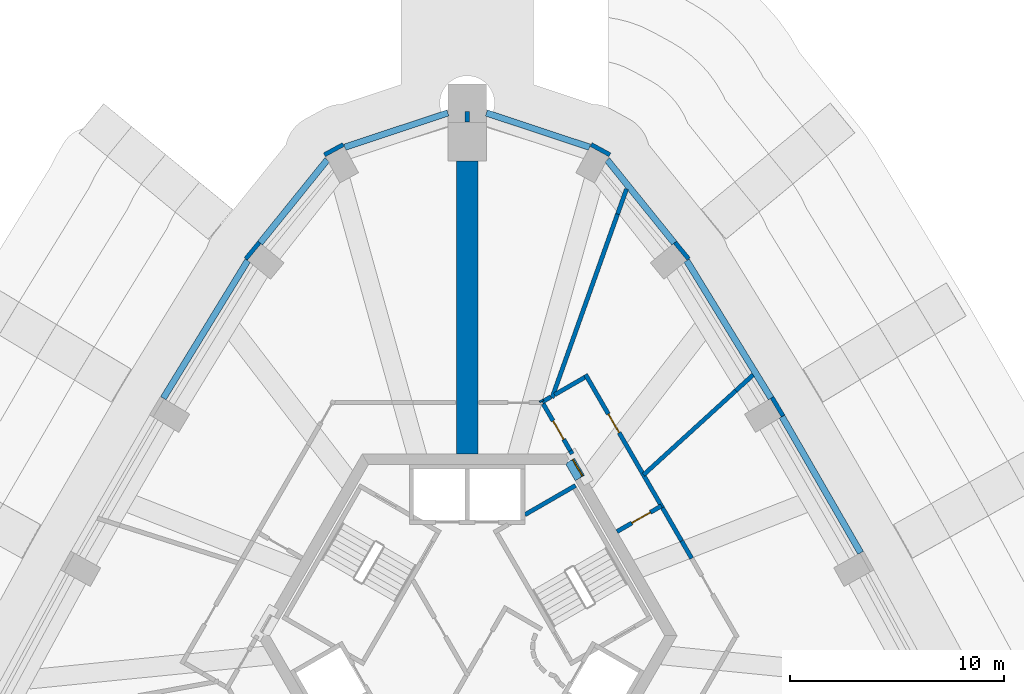
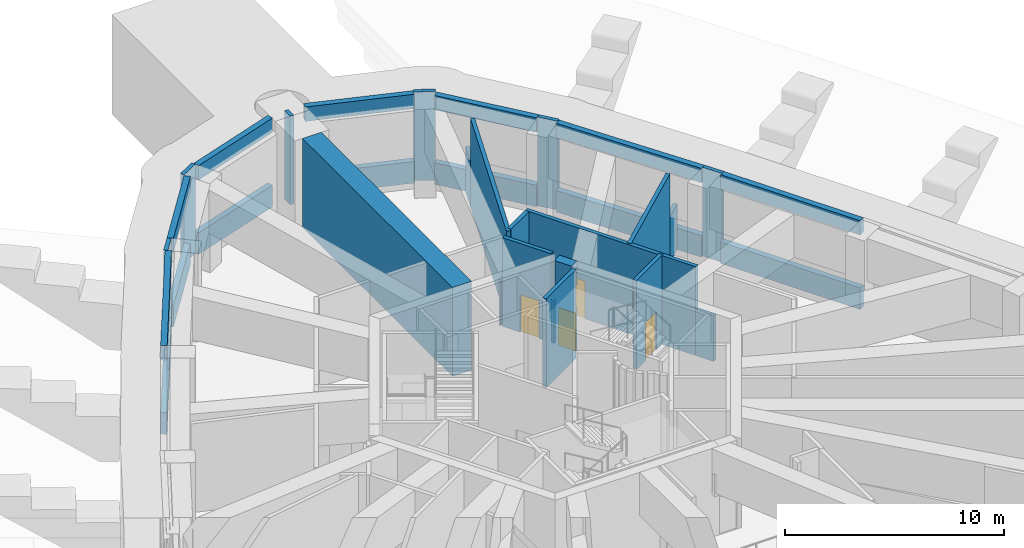
# One storey, part 7 of 15: 37 walls, 4 doors, 4 openings.
"""IFC4 building model written with IfcOpenShell, lengths in metres."""

from ifc_helpers import new_model, si_unit, direction, frame, frame_2d, origin, place, context, subcontext, project, spatial, polyline, rectangle, outline, extrude, material, layer, layer_set, type_object, element, fill, save


model = new_model("IFC4")

# Units and contexts
model_context = context("Model", 3, precision=1e-05, world=origin(), true_north=direction((0.0, 1.0)))
body_context = subcontext(model_context, "Body", "Model", "MODEL_VIEW")
ifc_project = project(units=[si_unit("LENGTHUNIT", "METRE"), si_unit("AREAUNIT", "SQUARE_METRE"), si_unit("VOLUMEUNIT", "CUBIC_METRE"), si_unit("PLANEANGLEUNIT", "RADIAN"), si_unit("MASSUNIT", "GRAM", prefix="KILO")], contexts=[model_context])

# Site, building, storey
site_placement = place(None, origin())
site = spatial("IfcSite", under=ifc_project, at=site_placement, CompositionType="ELEMENT")
building_placement = place(site_placement, origin())
building = spatial("IfcBuilding", under=site, at=building_placement, Name="Entoto Arch Interchange Tower", CompositionType="ELEMENT")
storey_placement = place(building_placement, frame((0.0, 0.0, 326.0)))
storey = spatial("IfcBuildingStorey", under=building, at=storey_placement, Name="L77", CompositionType="ELEMENT", Elevation=326.0)

# Wall, opening, door
ifc_material_1 = material(Name="Reinforced concrete C40/50", Category="concrete")
ifc_layer_1 = layer(ifc_material_1, 0.199951171875)
ifc_layer_set_1 = layer_set([ifc_layer_1], Name="Reinforced concrete C40/50")
wall_type_1 = type_object("IfcWallType", Name="CORE GAP INFILL WALL", PredefinedType="PARTITIONING", material=ifc_layer_set_1)
wall_1_placement = place(storey_placement, frame((5.39892578125, 9.947998046875, 0.0), z_axis=(0.0, 0.0, 1.0), x_axis=(-0.499882215713, 0.866093395895, 0.0)))
wall_1 = element("IfcWall", 1, at=wall_1_placement, inside=storey, type_object=wall_type_1, Name="wall:L77:gap2", PredefinedType="PARTITIONING", context=body_context, shape_type="SweptSolid", body=[
    extrude(rectangle(XDim=0.926025390625, YDim=0.199951171875, at=frame_2d((0.462890625, 0.0))), origin(), (0.0, 0.0, 1.0), 2.39990234375),
])
opening_1_placement = place(wall_1_placement, frame((0.01708984375, 0.0, 0.0)))
opening_1 = element("IfcOpeningElement", 2, at=opening_1_placement, cuts=wall_1, Name="Opening L77-D92", PredefinedType="OPENING", context=body_context, shape_type="SweptSolid", body=[
    extrude(rectangle(XDim=0.89990234375, YDim=2.10009765625, at=frame_2d((0.449951171875, 1.050048828125))), frame((0.0, 0.10986328125, 0.0), z_axis=(0.0, -1.0, 0.0), x_axis=(1.0, 0.0, 0.0)), (0.0, 0.0, 1.0), 0.219970703125),
])
ifc_material_2 = material(Name="Fire-rated Steel S235 door and frame", Category="steel")
door_type_1 = type_object("IfcDoorType", Name="DOOR FD-09 900x2100", OperationType="SINGLE_SWING_LEFT", PredefinedType="DOOR", material=ifc_material_2)
door_1_placement = place(opening_1_placement, origin())
door_1 = element("IfcDoor", 3, at=door_1_placement, inside=storey, type_object=door_type_1, Name="door:L77:gap2", OperationType="SINGLE_SWING_LEFT", OverallHeight=2.10009765625, OverallWidth=0.89990234375, PredefinedType="DOOR", context=body_context, shape_type="SweptSolid", body=[
    extrude(rectangle(XDim=0.89990234375, YDim=2.10009765625, at=frame_2d((0.449951171875, 1.050048828125))), frame((0.0, 0.02490234375, 0.0), z_axis=(0.0, -1.0, 0.0), x_axis=(1.0, 0.0, 0.0)), (0.0, 0.0, 1.0), 0.050048828125),
])
fill(opening_1, door_1)

# Walls
ifc_material_3 = material(Name="Concrete C40/50", Category="concrete")
ifc_layer_2 = layer(ifc_material_3, 0.5)
ifc_layer_set_2 = layer_set([ifc_layer_2], Name="Concrete C40/50")
wall_type_2 = type_object("IfcWallType", Name="Core wall 500 C40/50", PredefinedType="SHEAR", material=ifc_layer_set_2)
wall_2_placement = place(storey_placement, frame((0.0, 0.0, 3.60009765625)))
element("IfcWall", 4, at=wall_2_placement, inside=storey, type_object=wall_type_2, Name="Core wall lintel NE L77", PredefinedType="SHEAR", context=body_context, shape_type="SweptSolid", body=[
    extrude(outline(polyline([(5.02197265625, 10.800048828125), (4.677001953125, 10.60107421875), (4.618896484375, 10.5), (5.052978515625, 9.748046875), (5.486083984375, 9.998046875), (5.02197265625, 10.800048828125)])), origin(), (0.0, 0.0, 1.0), 1.349853515625),
])
ifc_layer_3 = layer(ifc_material_3, 1.0)
ifc_layer_set_3 = layer_set([ifc_layer_3], Name="Concrete C40/50")
wall_type_3 = type_object("IfcWallType", Name="Outrigger wall 1000 C40/50", PredefinedType="SHEAR", material=ifc_layer_set_3)
wall_3_placement = place(storey_placement, frame((0.0, 11.0, 0.0), z_axis=(0.0, 0.0, 1.0), x_axis=(0.0, 1.0, 0.0)))
element("IfcWall", 5, at=wall_3_placement, inside=storey, type_object=wall_type_3, Name="Outrigger wall N L77", PredefinedType="SHEAR", context=body_context, shape_type="SweptSolid", body=[
    extrude(rectangle(XDim=13.701904296875, YDim=1.0, at=frame_2d((6.85107421875, 0.0))), origin(), (0.0, 0.0, 1.0), 4.949951171875),
])

# Wall, opening, door
ifc_material_4 = material(Name="Gypsum board partition on steel studs", Category="steel")
ifc_layer_4 = layer(ifc_material_4, 0.199951171875)
ifc_layer_set_4 = layer_set([ifc_layer_4], Name="Gypsum board partition on steel studs")
wall_type_4 = type_object("IfcWallType", Name="PARTITION 200", PredefinedType="PARTITIONING", material=ifc_layer_set_4)
wall_4_placement = place(storey_placement, frame((9.08203125, 8.568115234375, 0.0), z_axis=(0.0, 0.0, 1.0), x_axis=(-0.865955154139, -0.50012165622, 0.0)))
wall_4 = element("IfcWall", 6, at=wall_4_placement, inside=storey, type_object=wall_type_4, Name="wall:L77:p027", PredefinedType="PARTITIONING", context=body_context, shape_type="SweptSolid", body=[
    extrude(rectangle(XDim=2.39990234375, YDim=0.199951171875, at=frame_2d((1.199951171875, 0.0))), origin(), (0.0, 0.0, 1.0), 4.949951171875),
])
opening_2_placement = place(wall_4_placement, frame((0.60009765625, 0.0, 0.0)))
opening_2 = element("IfcOpeningElement", 7, at=opening_2_placement, cuts=wall_4, Name="Opening L77-D05", PredefinedType="OPENING", context=body_context, shape_type="SweptSolid", body=[
    extrude(rectangle(XDim=1.0, YDim=2.10009765625, at=frame_2d((0.5, 1.050048828125))), frame((0.0, 0.10986328125, 0.0), z_axis=(0.0, -1.0, 0.0), x_axis=(1.0, 0.0, 0.0)), (0.0, 0.0, 1.0), 0.219970703125),
])
door_type_2 = type_object("IfcDoorType", Name="DOOR FD-10 1000x2100", OperationType="SINGLE_SWING_LEFT", PredefinedType="DOOR", material=ifc_material_2)
door_2_placement = place(opening_2_placement, origin())
door_2 = element("IfcDoor", 8, at=door_2_placement, inside=storey, type_object=door_type_2, Name="door:L77:05", OperationType="SINGLE_SWING_LEFT", OverallHeight=2.10009765625, OverallWidth=1.0, PredefinedType="DOOR", context=body_context, shape_type="SweptSolid", body=[
    extrude(rectangle(XDim=1.0, YDim=2.10009765625, at=frame_2d((0.5, 1.050048828125))), frame((0.0, 0.02490234375, 0.0), z_axis=(0.0, -1.0, 0.0), x_axis=(1.0, 0.0, 0.0)), (0.0, 0.0, 1.0), 0.050048828125),
])
fill(opening_2, door_2)

# Wall
wall_5_placement = place(storey_placement, frame((4.906982421875, 11.0, 0.0), z_axis=(0.0, 0.0, 1.0), x_axis=(-0.5004692653, 0.865754303766, 0.0)))
element("IfcWall", 9, at=wall_5_placement, inside=storey, type_object=wall_type_4, Name="wall:L77:p028", PredefinedType="PARTITIONING", context=body_context, shape_type="SweptSolid", body=[
    extrude(rectangle(XDim=0.169677734375, YDim=0.199951171875, at=frame_2d((0.0849609375, 0.0))), origin(), (0.0, 0.0, 1.0), 2.39990234375),
])

# Wall, opening, door
wall_6_placement = place(storey_placement, frame((5.531982421875, 14.717041015625, 0.0), z_axis=(0.0, 0.0, 1.0), x_axis=(0.499968011863, -0.866043871356, 0.0)))
wall_6 = element("IfcWall", 10, at=wall_6_placement, inside=storey, type_object=wall_type_4, Name="wall:L77:p029", PredefinedType="PARTITIONING", context=body_context, shape_type="SweptSolid", body=[
    extrude(rectangle(XDim=7.20068359375, YDim=0.199951171875, at=frame_2d((3.600341796875, 0.0))), origin(), (0.0, 0.0, 1.0), 4.949951171875),
])
opening_3_placement = place(wall_6_placement, frame((2.14306640625, 0.0, 0.0)))
opening_3 = element("IfcOpeningElement", 11, at=opening_3_placement, cuts=wall_6, Name="Opening L77-D07", PredefinedType="OPENING", context=body_context, shape_type="SweptSolid", body=[
    extrude(rectangle(XDim=1.0, YDim=2.10009765625, at=frame_2d((0.5, 1.050048828125))), frame((0.0, 0.10986328125, 0.0), z_axis=(0.0, -1.0, 0.0), x_axis=(1.0, 0.0, 0.0)), (0.0, 0.0, 1.0), 0.219970703125),
])
door_3_placement = place(opening_3_placement, origin())
door_3 = element("IfcDoor", 12, at=door_3_placement, inside=storey, type_object=door_type_2, Name="door:L77:07", OperationType="SINGLE_SWING_LEFT", OverallHeight=2.10009765625, OverallWidth=1.0, PredefinedType="DOOR", context=body_context, shape_type="SweptSolid", body=[
    extrude(rectangle(XDim=1.0, YDim=2.10009765625, at=frame_2d((0.5, 1.050048828125))), frame((0.0, 0.02490234375, 0.0), z_axis=(0.0, -1.0, 0.0), x_axis=(1.0, 0.0, 0.0)), (0.0, 0.0, 1.0), 0.050048828125),
])
fill(opening_3, door_3)

# Walls
wall_7_placement = place(storey_placement, frame((4.087890625, 13.76708984375, 0.0), z_axis=(0.0, 0.0, 1.0), x_axis=(0.865885317322, 0.500242558411, 0.0)))
element("IfcWall", 13, at=wall_7_placement, inside=storey, type_object=wall_type_4, Name="wall:L77:p030", PredefinedType="PARTITIONING", context=body_context, shape_type="SweptSolid", body=[
    extrude(rectangle(XDim=1.625244140625, YDim=0.199951171875, at=frame_2d((0.8125, 0.0))), origin(), (0.0, 0.0, 1.0), 4.949951171875),
])
wall_8_placement = place(storey_placement, frame((3.50390625, 13.429931640625, 0.0), z_axis=(0.0, 0.0, 1.0), x_axis=(0.865790651554, 0.500406382535, 0.0)))
element("IfcWall", 14, at=wall_8_placement, inside=storey, type_object=wall_type_4, Name="wall:L77:p031", PredefinedType="PARTITIONING", context=body_context, shape_type="SweptSolid", body=[
    extrude(rectangle(XDim=0.4736328125, YDim=0.199951171875, at=frame_2d((0.23681640625, 0.0))), origin(), (0.0, 0.0, 1.0), 2.550048828125),
])
wall_9_placement = place(storey_placement, frame((9.133056640625, 8.48193359375, 0.0), z_axis=(0.0, 0.0, 1.0), x_axis=(0.499927291608, -0.866067377925, 0.0)))
element("IfcWall", 15, at=wall_9_placement, inside=storey, type_object=wall_type_4, Name="wall:L77:p032", PredefinedType="PARTITIONING", context=body_context, shape_type="SweptSolid", body=[
    extrude(rectangle(XDim=1.788330078125, YDim=0.199951171875, at=frame_2d((0.89404296875, 0.0))), origin(), (0.0, 0.0, 1.0), 4.949951171875),
])
wall_10_placement = place(storey_placement, frame((13.365966796875, 14.69189453125, 0.0), z_axis=(0.0, 0.0, 1.0), x_axis=(-0.738636380762, -0.67410406987, 0.0)))
element("IfcWall", 16, at=wall_10_placement, inside=storey, type_object=wall_type_4, Name="wall:L77:p035", PredefinedType="PARTITIONING", context=body_context, shape_type="SweptSolid", body=[
    extrude(rectangle(XDim=1.085693359375, YDim=0.199951171875, at=frame_2d((0.54296875, 0.0))), origin(), (0.0, 0.0, 1.0), 2.550048828125),
])
wall_11_placement = place(storey_placement, frame((3.967041015625, 13.623046875, 0.0), z_axis=(0.0, 0.0, 1.0), x_axis=(0.33592093682, 0.941890186914, 0.0)))
element("IfcWall", 17, at=wall_11_placement, inside=storey, type_object=wall_type_4, Name="wall:L77:p036", PredefinedType="PARTITIONING", context=body_context, shape_type="SweptSolid", body=[
    extrude(rectangle(XDim=9.12109375, YDim=0.199951171875, at=frame_2d((4.560546875, 0.0))), origin(), (0.0, 0.0, 1.0), 4.949951171875),
])
wall_12_placement = place(storey_placement, frame((0.0, 26.52197265625, 0.0), z_axis=(0.0, 0.0, 1.0), x_axis=(0.0, 1.0, 0.0)))
element("IfcWall", 18, at=wall_12_placement, inside=storey, type_object=wall_type_4, Name="wall:L77:p037", PredefinedType="PARTITIONING", context=body_context, shape_type="SweptSolid", body=[
    extrude(rectangle(XDim=0.5009765625, YDim=0.199951171875, at=frame_2d((0.25048828125, 0.0))), origin(), (0.0, 0.0, 1.0), 4.949951171875),
])

# Wall, opening, door
wall_13_placement = place(storey_placement, frame((4.822021484375, 11.14697265625, 0.0), z_axis=(0.0, 0.0, 1.0), x_axis=(-0.499841768758, 0.866116739363, 0.0)))
wall_13 = element("IfcWall", 19, at=wall_13_placement, inside=storey, type_object=wall_type_4, Name="wall:L77:p028", PredefinedType="PARTITIONING", context=body_context, shape_type="SweptSolid", body=[
    extrude(rectangle(XDim=2.538818359375, YDim=0.199951171875, at=frame_2d((1.26953125, 0.0))), origin(), (0.0, 0.0, 1.0), 4.949951171875),
])
opening_4_placement = place(wall_13_placement, frame((0.617919921875, 0.0, 0.0)))
opening_4 = element("IfcOpeningElement", 20, at=opening_4_placement, cuts=wall_13, Name="Opening L77-D06", PredefinedType="OPENING", context=body_context, shape_type="SweptSolid", body=[
    extrude(rectangle(XDim=1.0, YDim=2.10009765625, at=frame_2d((0.5, 1.050048828125))), frame((0.0, 0.10986328125, 0.0), z_axis=(0.0, -1.0, 0.0), x_axis=(1.0, 0.0, 0.0)), (0.0, 0.0, 1.0), 0.219970703125),
])
door_4_placement = place(opening_4_placement, origin())
door_4 = element("IfcDoor", 21, at=door_4_placement, inside=storey, type_object=door_type_2, Name="door:L77:06", OperationType="SINGLE_SWING_RIGHT", OverallHeight=2.10009765625, OverallWidth=1.0, PredefinedType="DOOR", context=body_context, shape_type="SweptSolid", body=[
    extrude(rectangle(XDim=1.0, YDim=2.10009765625, at=frame_2d((0.5, 1.050048828125))), frame((0.0, 0.02490234375, 0.0), z_axis=(0.0, -1.0, 0.0), x_axis=(1.0, 0.0, 0.0)), (0.0, 0.0, 1.0), 0.050048828125),
])
fill(opening_4, door_4)

# Walls
wall_14_placement = place(storey_placement, frame((3.4951171875, 13.446044921875, 0.0), z_axis=(0.0, 0.0, 1.0), x_axis=(-0.499980071345, 0.866036909293, 0.0)))
element("IfcWall", 22, at=wall_14_placement, inside=storey, type_object=wall_type_4, Name="wall:L77:p028", PredefinedType="PARTITIONING", context=body_context, shape_type="SweptSolid", body=[
    extrude(rectangle(XDim=0.08203125, YDim=0.199951171875, at=frame_2d((0.041015625, 0.0))), origin(), (0.0, 0.0, 1.0), 2.550048828125),
])
wall_15_placement = place(storey_placement, frame((10.027099609375, 6.93310546875, 0.0), z_axis=(0.0, 0.0, 1.0), x_axis=(0.499909789979, -0.8660774803, 0.0)))
element("IfcWall", 23, at=wall_15_placement, inside=storey, type_object=wall_type_4, Name="wall:L77:p032", PredefinedType="PARTITIONING", context=body_context, shape_type="SweptSolid", body=[
    extrude(rectangle(XDim=0.940185546875, YDim=0.199951171875, at=frame_2d((0.47021484375, 0.0))), origin(), (0.0, 0.0, 1.0), 2.550048828125),
])
wall_16_placement = place(storey_placement, frame((12.56396484375, 13.9599609375, 0.0), z_axis=(0.0, 0.0, 1.0), x_axis=(-0.738865955228, -0.673852432069, 0.0)))
element("IfcWall", 24, at=wall_16_placement, inside=storey, type_object=wall_type_4, Name="wall:L77:p035", PredefinedType="PARTITIONING", context=body_context, shape_type="SweptSolid", body=[
    extrude(rectangle(XDim=5.846923828125, YDim=0.199951171875, at=frame_2d((2.92333984375, 0.0))), origin(), (0.0, 0.0, 1.0), 4.949951171875),
])
wall_17_placement = place(storey_placement, frame((7.031005859375, 22.214111328125, 0.0), z_axis=(0.0, 0.0, 1.0), x_axis=(0.336026978019, 0.941852361065, 0.0)))
element("IfcWall", 25, at=wall_17_placement, inside=storey, type_object=wall_type_4, Name="wall:L77:p036", PredefinedType="PARTITIONING", context=body_context, shape_type="SweptSolid", body=[
    extrude(rectangle(XDim=1.249755859375, YDim=0.199951171875, at=frame_2d((0.625, 0.0))), origin(), (0.0, 0.0, 1.0), 2.550048828125),
])
ifc_material_5 = material(Name="Board-marked precast concrete C50/60", Category="concrete")
ifc_layer_5 = layer(ifc_material_5, 0.199951171875)
ifc_layer_set_5 = layer_set([ifc_layer_5], Name="Board-marked precast concrete C50/60")
wall_type_5 = type_object("IfcWallType", Name="PRECAST FRAME WALL 200", PredefinedType="STANDARD", material=ifc_layer_set_5)
for number, where, z_axis, x_axis, name in (
    (26, (6.674072265625, 24.987060546875, 0.0), (0.0, 0.0, 1.0), (-0.877895572914, 0.478852130681, 0.0), "Frame pier N1 L77"),
    (27, (-5.7958984375, 25.466064453125, 0.0), (0.0, 0.0, 1.0), (-0.877895572914, -0.478852130681, 0.0), "Frame pier N3 L77"),
    (28, (14.77099609375, 12.77587890625, 0.0), (0.0, 0.0, 1.0), (-0.513777707721, 0.857923345672, 0.0), "Frame pier NE03 L77"),
    (29, (10.35595703125, 20.117919921875, 0.0), (0.0, 0.0, 1.0), (-0.635852688617, 0.771810441999, 0.0), "Frame pier NE04 L77"),
    (30, (-9.719970703125, 20.889892578125, 0.0), (0.0, 0.0, 1.0), (-0.635852688617, -0.771810441999, 0.0), "Frame pier NW01 L77"),
):
    element("IfcWall", number, at=place(storey_placement, frame(where, z_axis=z_axis, x_axis=x_axis)), inside=storey, type_object=wall_type_5, Name=name, PredefinedType="STANDARD", context=body_context, shape_type="SweptSolid", body=[
        extrude(rectangle(XDim=1.000244140625, YDim=0.199951171875, at=frame_2d((0.5, 0.0))), origin(), (0.0, 0.0, 1.0), 4.949951171875),
    ])
ifc_layer_6 = layer(ifc_material_5, 0.300048828125)
ifc_layer_set_6 = layer_set([ifc_layer_6], Name="Board-marked precast concrete C50/60")
wall_type_6 = type_object("IfcWallType", Name="PRECAST FRAME WALL 300", PredefinedType="STANDARD", material=ifc_layer_set_6)
wall_18_placement = place(storey_placement, frame((18.39892578125, 6.375, 0.0), z_axis=(0.0, 0.0, 1.0), x_axis=(-0.499904379019, 0.866080603545, 0.0)))
element("IfcWall", 31, at=wall_18_placement, inside=storey, type_object=wall_type_6, Name="Frame sill wall NE-02 L77", PredefinedType="STANDARD", context=body_context, shape_type="SweptSolid", body=[
    extrude(rectangle(XDim=7.357421875, YDim=0.300048828125, at=frame_2d((3.6787109375, 0.0))), origin(), (0.0, 0.0, 1.0), 1.199951171875),
])
wall_19_placement = place(storey_placement, frame((18.39892578125, 6.375, 4.14990234375), z_axis=(0.0, 0.0, 1.0), x_axis=(-0.499904379019, 0.866080603545, 0.0)))
element("IfcWall", 32, at=wall_19_placement, inside=storey, type_object=wall_type_6, Name="Frame head wall NE-02 L77", PredefinedType="STANDARD", context=body_context, shape_type="SweptSolid", body=[
    extrude(rectangle(XDim=7.357421875, YDim=0.300048828125, at=frame_2d((3.6787109375, 0.0))), origin(), (0.0, 0.0, 1.0), 0.800048828125),
])
wall_20_placement = place(storey_placement, frame((14.2099609375, 13.60400390625, 0.0), z_axis=(0.0, 0.0, 1.0), x_axis=(-0.522767476235, 0.852475316822, 0.0)))
element("IfcWall", 33, at=wall_20_placement, inside=storey, type_object=wall_type_6, Name="Frame sill wall NE-03 L77", PredefinedType="STANDARD", context=body_context, shape_type="SweptSolid", body=[
    extrude(rectangle(XDim=7.552001953125, YDim=0.300048828125, at=frame_2d((3.77587890625, 0.0))), origin(), (0.0, 0.0, 1.0), 1.199951171875),
])
wall_21_placement = place(storey_placement, frame((14.2099609375, 13.60400390625, 4.14990234375), z_axis=(0.0, 0.0, 1.0), x_axis=(-0.522767476235, 0.852475316822, 0.0)))
element("IfcWall", 34, at=wall_21_placement, inside=storey, type_object=wall_type_6, Name="Frame head wall NE-03 L77", PredefinedType="STANDARD", context=body_context, shape_type="SweptSolid", body=[
    extrude(rectangle(XDim=7.552001953125, YDim=0.300048828125, at=frame_2d((3.77587890625, 0.0))), origin(), (0.0, 0.0, 1.0), 0.800048828125),
])
wall_22_placement = place(storey_placement, frame((9.68603515625, 20.861083984375, 0.0), z_axis=(0.0, 0.0, 1.0), x_axis=(-0.628249584672, 0.778011863251, 0.0)))
element("IfcWall", 35, at=wall_22_placement, inside=storey, type_object=wall_type_6, Name="Frame sill wall N-01 L77", PredefinedType="STANDARD", context=body_context, shape_type="SweptSolid", body=[
    extrude(rectangle(XDim=4.999755859375, YDim=0.300048828125, at=frame_2d((2.5, 0.0))), origin(), (0.0, 0.0, 1.0), 1.199951171875),
])
wall_23_placement = place(storey_placement, frame((9.68603515625, 20.861083984375, 4.14990234375), z_axis=(0.0, 0.0, 1.0), x_axis=(-0.628249584672, 0.778011863251, 0.0)))
element("IfcWall", 36, at=wall_23_placement, inside=storey, type_object=wall_type_6, Name="Frame head wall N-01 L77", PredefinedType="STANDARD", context=body_context, shape_type="SweptSolid", body=[
    extrude(rectangle(XDim=4.999755859375, YDim=0.300048828125, at=frame_2d((2.5, 0.0))), origin(), (0.0, 0.0, 1.0), 0.800048828125),
])
wall_24_placement = place(storey_placement, frame((5.72900390625, 25.340087890625, 0.0), z_axis=(0.0, 0.0, 1.0), x_axis=(-0.948980274282, 0.315335438897, 0.0)))
element("IfcWall", 37, at=wall_24_placement, inside=storey, type_object=wall_type_6, Name="Frame sill wall N-02 L77", PredefinedType="STANDARD", context=body_context, shape_type="SweptSolid", body=[
    extrude(rectangle(XDim=5.08984375, YDim=0.300048828125, at=frame_2d((2.544921875, 0.0))), origin(), (0.0, 0.0, 1.0), 1.199951171875),
])
wall_25_placement = place(storey_placement, frame((5.72900390625, 25.340087890625, 4.14990234375), z_axis=(0.0, 0.0, 1.0), x_axis=(-0.948980274282, 0.315335438897, 0.0)))
element("IfcWall", 38, at=wall_25_placement, inside=storey, type_object=wall_type_6, Name="Frame head wall N-02 L77", PredefinedType="STANDARD", context=body_context, shape_type="SweptSolid", body=[
    extrude(rectangle(XDim=5.08984375, YDim=0.300048828125, at=frame_2d((2.544921875, 0.0))), origin(), (0.0, 0.0, 1.0), 0.800048828125),
])
wall_26_placement = place(storey_placement, frame((-0.89892578125, 26.945068359375, 0.0), z_axis=(0.0, 0.0, 1.0), x_axis=(-0.948980274282, -0.315335438897, 0.0)))
element("IfcWall", 39, at=wall_26_placement, inside=storey, type_object=wall_type_6, Name="Frame sill wall N-03 L77", PredefinedType="STANDARD", context=body_context, shape_type="SweptSolid", body=[
    extrude(rectangle(XDim=5.08984375, YDim=0.300048828125, at=frame_2d((2.544921875, 0.0))), origin(), (0.0, 0.0, 1.0), 1.199951171875),
])
wall_27_placement = place(storey_placement, frame((-0.89892578125, 26.945068359375, 4.14990234375), z_axis=(0.0, 0.0, 1.0), x_axis=(-0.948980274282, -0.315335438897, 0.0)))
element("IfcWall", 40, at=wall_27_placement, inside=storey, type_object=wall_type_6, Name="Frame head wall N-03 L77", PredefinedType="STANDARD", context=body_context, shape_type="SweptSolid", body=[
    extrude(rectangle(XDim=5.08984375, YDim=0.300048828125, at=frame_2d((2.544921875, 0.0))), origin(), (0.0, 0.0, 1.0), 0.800048828125),
])
wall_28_placement = place(storey_placement, frame((-6.544921875, 24.7509765625, 0.0), z_axis=(0.0, 0.0, 1.0), x_axis=(-0.628249584672, -0.778011863251, 0.0)))
element("IfcWall", 41, at=wall_28_placement, inside=storey, type_object=wall_type_6, Name="Frame sill wall N-04 L77", PredefinedType="STANDARD", context=body_context, shape_type="SweptSolid", body=[
    extrude(rectangle(XDim=4.999755859375, YDim=0.300048828125, at=frame_2d((2.5, 0.0))), origin(), (0.0, 0.0, 1.0), 1.199951171875),
])
wall_29_placement = place(storey_placement, frame((-6.544921875, 24.7509765625, 4.14990234375), z_axis=(0.0, 0.0, 1.0), x_axis=(-0.628249584672, -0.778011863251, 0.0)))
element("IfcWall", 42, at=wall_29_placement, inside=storey, type_object=wall_type_6, Name="Frame head wall N-04 L77", PredefinedType="STANDARD", context=body_context, shape_type="SweptSolid", body=[
    extrude(rectangle(XDim=4.999755859375, YDim=0.300048828125, at=frame_2d((2.5, 0.0))), origin(), (0.0, 0.0, 1.0), 0.800048828125),
])
wall_30_placement = place(storey_placement, frame((-10.261962890625, 20.0419921875, 0.0), z_axis=(0.0, 0.0, 1.0), x_axis=(-0.522767476235, -0.852475316822, 0.0)))
element("IfcWall", 43, at=wall_30_placement, inside=storey, type_object=wall_type_6, Name="Frame sill wall NW-01 L77", PredefinedType="STANDARD", context=body_context, shape_type="SweptSolid", body=[
    extrude(rectangle(XDim=7.552001953125, YDim=0.300048828125, at=frame_2d((3.77587890625, 0.0))), origin(), (0.0, 0.0, 1.0), 1.199951171875),
])
wall_31_placement = place(storey_placement, frame((-10.261962890625, 20.0419921875, 4.14990234375), z_axis=(0.0, 0.0, 1.0), x_axis=(-0.522767476235, -0.852475316822, 0.0)))
element("IfcWall", 44, at=wall_31_placement, inside=storey, type_object=wall_type_6, Name="Frame head wall NW-01 L77", PredefinedType="STANDARD", context=body_context, shape_type="SweptSolid", body=[
    extrude(rectangle(XDim=7.552001953125, YDim=0.300048828125, at=frame_2d((3.77587890625, 0.0))), origin(), (0.0, 0.0, 1.0), 0.800048828125),
])
ifc_layer_7 = layer(ifc_material_3, 0.199951171875)
ifc_layer_set_7 = layer_set([ifc_layer_7], Name="Concrete C40/50")
wall_type_7 = type_object("IfcWallType", Name="STAIR ENCLOSURE WALL 200", PredefinedType="STANDARD", material=ifc_layer_set_7)
wall_32_placement = place(storey_placement, frame((2.699951171875, 8.157958984375, 0.0), z_axis=(0.0, 0.0, 1.0), x_axis=(0.86611865017, 0.499838457731, 0.0)))
element("IfcWall", 45, at=wall_32_placement, inside=storey, type_object=wall_type_7, Name="Stair wall ST-NE far", PredefinedType="STANDARD", context=body_context, shape_type="SweptSolid", body=[
    extrude(rectangle(XDim=2.73291015625, YDim=0.199951171875, at=frame_2d((1.366455078125, 0.0))), origin(), (0.0, 0.0, 1.0), 4.949951171875),
])

save(model, "model.ifc")
